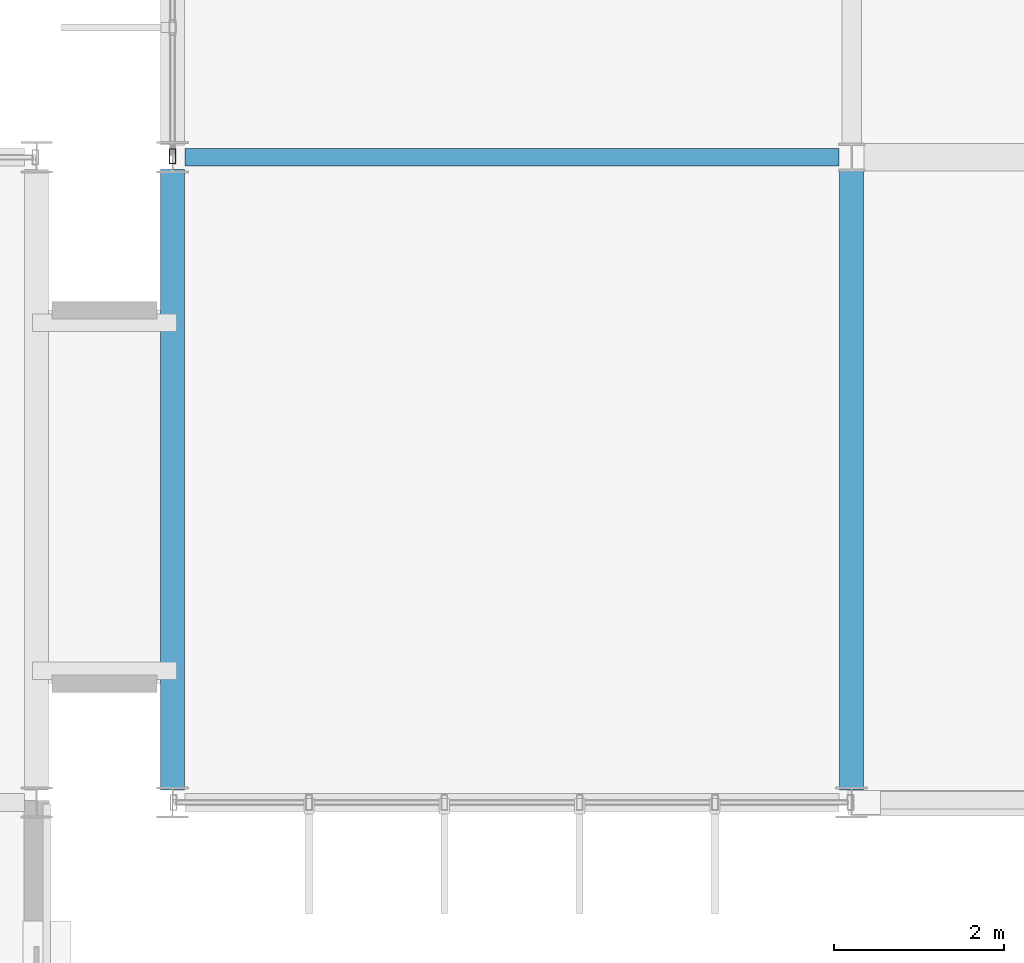
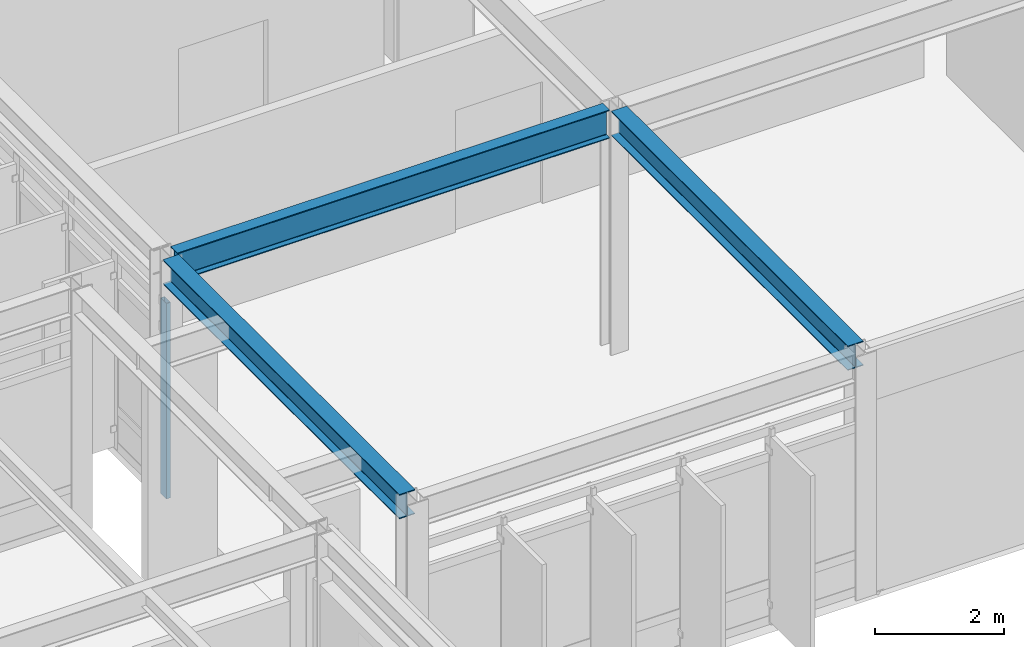
# One storey, part 38 of 100: 3 beams, 1 member, 1 element without a shape of its own.
"""IFC4 building model written with IfcOpenShell, lengths in metres."""

from ifc_helpers import new_model, si_unit, direction, frame, origin, origin_2d, place, context, subcontext, project, spatial, hollow_rectangle, i_section, extrude, material, material_profile, profile_set, type_object, element, aggregate, save


model = new_model("IFC4")

# Units and contexts
model_context = context("Model", 3, precision=1e-05, world=origin(), true_north=direction((0.0, 1.0)))
body_context = subcontext(model_context, "Body", "Model", "MODEL_VIEW")
ifc_project = project(units=[si_unit("LENGTHUNIT", "METRE"), si_unit("AREAUNIT", "SQUARE_METRE"), si_unit("VOLUMEUNIT", "CUBIC_METRE"), si_unit("PLANEANGLEUNIT", "RADIAN"), si_unit("MASSUNIT", "GRAM", prefix="KILO")], contexts=[model_context])

# Site, building, storey
site_placement = place(None, origin())
site = spatial("IfcSite", under=ifc_project, at=site_placement, CompositionType="ELEMENT")
building_placement = place(site_placement, origin())
building = spatial("IfcBuilding", under=site, at=building_placement, Name="Zulena Civic Courthouse", CompositionType="ELEMENT")
storey_placement = place(building_placement, frame((0.0, 0.0, 20.39990234375)))
storey = spatial("IfcBuildingStorey", under=building, at=storey_placement, Name="L04", CompositionType="ELEMENT", Elevation=20.39990234375)

# Curtain wall, member
ifc_material_1 = material(Name="Double-silver low-E laminated solar-control glass", Category="glass")
curtain_wall_type = type_object("IfcCurtainWallType", Name="CW_7576x3690", PredefinedType="USERDEFINED", material=ifc_material_1)
curtain_wall_placement = place(storey_placement, origin())
curtain_wall = element("IfcCurtainWall", 1, at=curtain_wall_placement, inside=storey, type_object=curtain_wall_type, Name="cw:V4:L04:0:1", ObjectType="UNITISED CURTAIN WALL", PredefinedType="USERDEFINED")
ifc_material_2 = material(Name="Bronze anodised thermally broken aluminium AA6063-T6", Category="aluminium")
ifc_material_profile_1 = material_profile(ifc_material_2, hollow_rectangle(XDim=0.074951171875, YDim=0.179931640625, WallThickness=0.0048828125, at=origin_2d()), Name="CWM180X75X5")
ifc_profile_set_1 = profile_set([ifc_material_profile_1], Name="Bronze anodised thermally broken aluminium AA6063-T6")
member_type = type_object("IfcMemberType", Name="CWMullion_180x75", PredefinedType="MULLION", material=ifc_profile_set_1)
member_placement = place(storey_placement, frame((68.0, 22.81201171875, 0.0), z_axis=(0.0, 0.0, 1.0), x_axis=(1.0, 0.0, 0.0)))
member = element("IfcMember", 2, at=member_placement, type_object=member_type, Name="cw:V4:L04:0:1:mull:0", PredefinedType="MULLION", context=body_context, shape_type="SweptSolid", body=[
    extrude(hollow_rectangle(XDim=0.074951171875, YDim=0.179931640625, WallThickness=0.0048828125, at=origin_2d()), origin(), (0.0, 0.0, 1.0), 3.690185546875),
])
aggregate(curtain_wall, [member])

# Beams
ifc_material_3 = material(Name="Steel ASTM A992 Grade 50", Category="steel")
ifc_material_profile_2 = material_profile(ifc_material_3, i_section(OverallWidth=0.280029296875, OverallDepth=0.462890625, WebThickness=0.0107421875, FlangeThickness=0.017333984375, FilletRadius=0.01025390625, at=origin_2d()), Name="W18X76")
ifc_profile_set_2 = profile_set([ifc_material_profile_2], Name="Steel ASTM A992 Grade 50")
beam_type_1 = type_object("IfcBeamType", Name="Spandrel_W18X76", PredefinedType="SPANDREL", material=ifc_profile_set_2)
for number, where, z_axis, x_axis, name in (
    (3, (68.0, 15.344970703125, 4.363525390625), (0.0, 1.0, 0.0), (-1.0, 0.0, 0.0), "beam:Y:V4:L04:68.0:15.2_22.8"),
    (4, (76.0, 15.344970703125, 4.363525390625), (0.0, 1.0, 0.0), (-1.0, 0.0, 0.0), "beam:Y:V4:L04:76.0:15.2_22.8"),
):
    element("IfcBeam", number, at=place(storey_placement, frame(where, z_axis=z_axis, x_axis=x_axis)), inside=storey, type_object=beam_type_1, Name=name, PredefinedType="SPANDREL", context=body_context, shape_type="SweptSolid", body=[
        extrude(i_section(OverallWidth=0.280029296875, OverallDepth=0.462890625, WebThickness=0.0107421875, FlangeThickness=0.017333984375, FilletRadius=0.01025390625, at=origin_2d()), origin(), (0.0, 0.0, 1.0), 7.31005859375),
    ])
ifc_material_profile_3 = material_profile(ifc_material_3, i_section(OverallWidth=0.2099609375, OverallDepth=0.537109375, WebThickness=0.010986328125, FlangeThickness=0.017333984375, FilletRadius=0.0126953125, at=origin_2d()), Name="W21X68")
ifc_profile_set_3 = profile_set([ifc_material_profile_3], Name="Steel ASTM A992 Grade 50")
beam_type_2 = type_object("IfcBeamType", Name="Spandrel_W21X68", PredefinedType="SPANDREL", material=ifc_profile_set_3)
beam_placement = place(storey_placement, frame((68.14501953125, 22.800048828125, 4.32666015625), z_axis=(1.0, 0.0, 0.0), x_axis=(0.0, 1.0, 0.0)))
element("IfcBeam", 5, at=beam_placement, inside=storey, type_object=beam_type_2, Name="beam:X:V4:L04:22.8:68.0_76.0", PredefinedType="SPANDREL", context=body_context, shape_type="SweptSolid", body=[
    extrude(i_section(OverallWidth=0.2099609375, OverallDepth=0.537109375, WebThickness=0.010986328125, FlangeThickness=0.017333984375, FilletRadius=0.0126953125, at=origin_2d()), origin(), (0.0, 0.0, 1.0), 7.7099609375),
])

save(model, "model.ifc")
